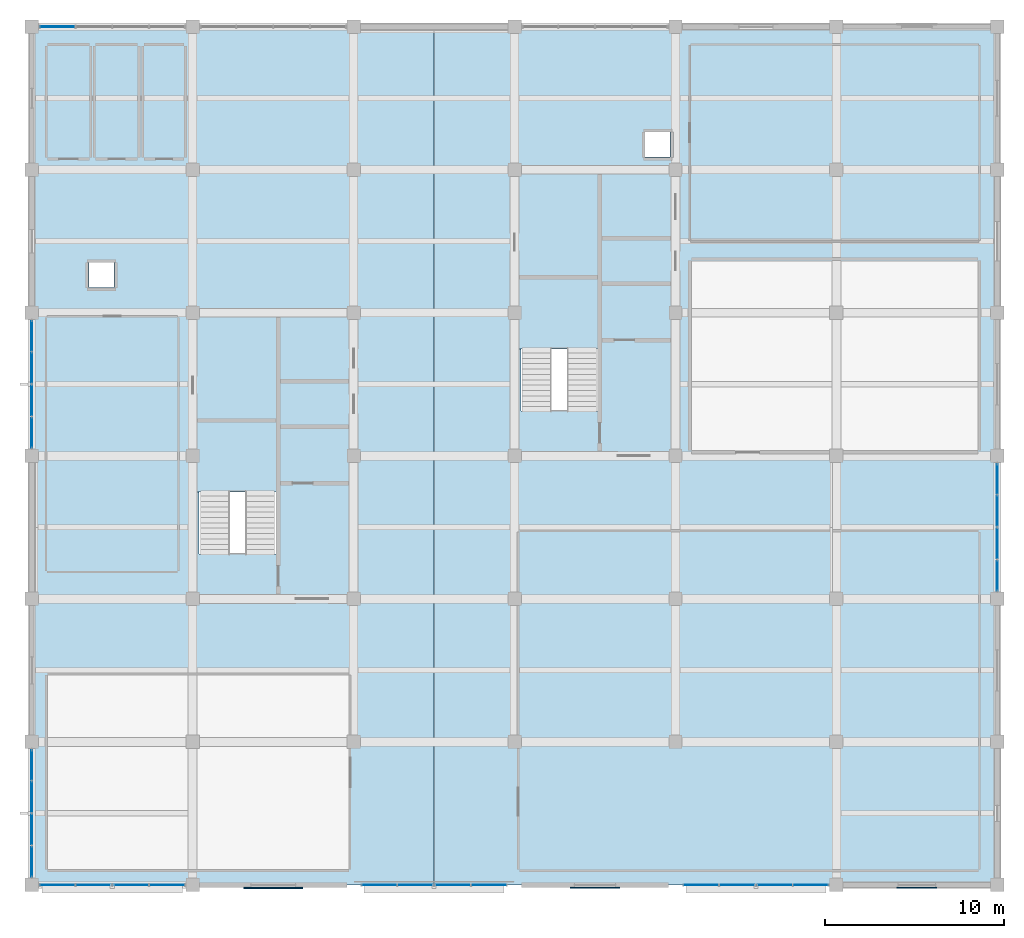
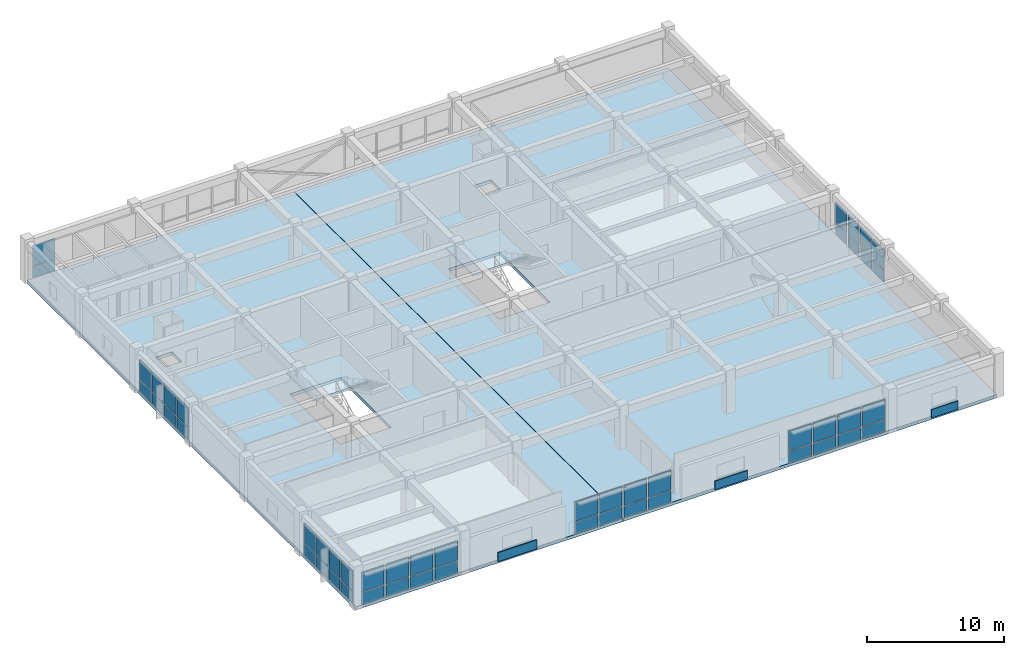
# One storey, part 10 of 15: 53 plates, 4 slabs, 9 elements without a shape of their own.
"""IFC4 building model written with IfcOpenShell, lengths in metres."""

from ifc_helpers import new_model, si_unit, direction, frame, frame_2d, origin, place, context, subcontext, project, spatial, polyline, rectangle, outline, extrude, material, layer, layer_set, type_object, element, aggregate, save


model = new_model("IFC4")

# Units and contexts
model_context = context("Model", 3, precision=1e-05, world=origin(), true_north=direction((0.0, 1.0)))
body_context = subcontext(model_context, "Body", "Model", "MODEL_VIEW")
ifc_project = project(units=[si_unit("LENGTHUNIT", "METRE"), si_unit("AREAUNIT", "SQUARE_METRE"), si_unit("VOLUMEUNIT", "CUBIC_METRE"), si_unit("PLANEANGLEUNIT", "RADIAN"), si_unit("MASSUNIT", "GRAM", prefix="KILO")], contexts=[model_context])

# Site, building, storey
site_placement = place(None, origin())
site = spatial("IfcSite", under=ifc_project, at=site_placement, CompositionType="ELEMENT")
building_placement = place(site_placement, origin())
building = spatial("IfcBuilding", under=site, at=building_placement, Name="Zaverband Oceanarium and Marine Research Institute", CompositionType="ELEMENT")
storey_placement = place(building_placement, frame((0.0, 0.0, 49.199951171875)))
storey = spatial("IfcBuildingStorey", under=building, at=storey_placement, Name="L12", CompositionType="ELEMENT", Elevation=49.199951171875)

# Curtain wall, plates
ifc_material_1 = material(Name="Thermally broken anodized aluminium and solar-control glass", Category="aluminium")
curtain_wall_type = type_object("IfcCurtainWallType", Name="CW-UNIT-1800", PredefinedType="NOTDEFINED", material=ifc_material_1)
curtain_wall_1_placement = place(storey_placement, origin())
curtain_wall_1 = element("IfcCurtainWall", 1, at=curtain_wall_1_placement, inside=storey, type_object=curtain_wall_type, Name="Unitised glazed curtain wall CW-136", PredefinedType="NOTDEFINED")
ifc_material_2 = material(Name="Low-E double-glazed solar-control glass", Category="glass")
ifc_layer_1 = layer(ifc_material_2, 0.033935546875, Name="Low-E double-glazed solar-control glass")
ifc_layer_set_1 = layer_set([ifc_layer_1], Name="Low-E double-glazed solar-control glass")
plate_type_1 = type_object("IfcPlateType", Name="CWP-1570x1043", PredefinedType="CURTAIN_PANEL", material=ifc_layer_set_1)
plate_1_placement = place(storey_placement, frame((9.0, 64.4599609375, 0.050048828125), z_axis=(0.0, 0.0, 1.0), x_axis=(0.0, 1.0, 0.0)))
plate_1 = element("IfcPlate", 2, at=plate_1_placement, type_object=plate_type_1, Name="Glazed curtain wall panel CWP-1570x1043", PredefinedType="CURTAIN_PANEL", context=body_context, shape_type="SweptSolid", body=[
    extrude(rectangle(XDim=1.650146484375, YDim=0.033935546875, at=frame_2d((0.8251953125, 0.0))), origin(), (0.0, 0.0, 1.0), 1.031982421875),
])
plate_2_placement = place(storey_placement, frame((9.0, 66.27001953125, 0.050048828125), z_axis=(0.0, 0.0, 1.0), x_axis=(0.0, 1.0, 0.0)))
plate_2 = element("IfcPlate", 3, at=plate_2_placement, type_object=plate_type_1, Name="Glazed curtain wall panel CWP-1570x1043", PredefinedType="CURTAIN_PANEL", context=body_context, shape_type="SweptSolid", body=[
    extrude(rectangle(XDim=1.64990234375, YDim=0.033935546875, at=frame_2d((0.824951171875, 0.0))), origin(), (0.0, 0.0, 1.0), 1.031982421875),
])
plate_3_placement = place(storey_placement, frame((9.0, 68.080078125, 0.050048828125), z_axis=(0.0, 0.0, 1.0), x_axis=(0.0, 1.0, 0.0)))
plate_3 = element("IfcPlate", 4, at=plate_3_placement, type_object=plate_type_1, Name="Glazed curtain wall panel CWP-1570x1043", PredefinedType="CURTAIN_PANEL", context=body_context, shape_type="SweptSolid", body=[
    extrude(rectangle(XDim=1.64990234375, YDim=0.033935546875, at=frame_2d((0.824951171875, 0.0))), origin(), (0.0, 0.0, 1.0), 1.031982421875),
])
plate_4_placement = place(storey_placement, frame((9.0, 69.889892578125, 0.050048828125), z_axis=(0.0, 0.0, 1.0), x_axis=(0.0, 1.0, 0.0)))
plate_4 = element("IfcPlate", 5, at=plate_4_placement, type_object=plate_type_1, Name="Glazed curtain wall panel CWP-1570x1043", PredefinedType="CURTAIN_PANEL", context=body_context, shape_type="SweptSolid", body=[
    extrude(rectangle(XDim=1.650146484375, YDim=0.033935546875, at=frame_2d((0.8251953125, 0.0))), origin(), (0.0, 0.0, 1.0), 1.031982421875),
])

curtain_wall_2_placement = place(storey_placement, origin())
curtain_wall_2 = element("IfcCurtainWall", 6, at=curtain_wall_2_placement, inside=storey, type_object=curtain_wall_type, Name="Unitised glazed curtain wall CW-137", PredefinedType="NOTDEFINED")
plate_5_placement = place(storey_placement, frame((9.0, 88.4599609375, 0.050048828125), z_axis=(0.0, 0.0, 1.0), x_axis=(0.0, 1.0, 0.0)))
plate_5 = element("IfcPlate", 7, at=plate_5_placement, type_object=plate_type_1, Name="Glazed curtain wall panel CWP-1570x1043", PredefinedType="CURTAIN_PANEL", context=body_context, shape_type="SweptSolid", body=[
    extrude(rectangle(XDim=1.650146484375, YDim=0.033935546875, at=frame_2d((0.8251953125, 0.0))), origin(), (0.0, 0.0, 1.0), 1.031982421875),
])
plate_6_placement = place(storey_placement, frame((9.0, 90.27001953125, 0.050048828125), z_axis=(0.0, 0.0, 1.0), x_axis=(0.0, 1.0, 0.0)))
plate_6 = element("IfcPlate", 8, at=plate_6_placement, type_object=plate_type_1, Name="Glazed curtain wall panel CWP-1570x1043", PredefinedType="CURTAIN_PANEL", context=body_context, shape_type="SweptSolid", body=[
    extrude(rectangle(XDim=1.64990234375, YDim=0.033935546875, at=frame_2d((0.824951171875, 0.0))), origin(), (0.0, 0.0, 1.0), 1.031982421875),
])
plate_7_placement = place(storey_placement, frame((9.0, 92.080078125, 0.050048828125), z_axis=(0.0, 0.0, 1.0), x_axis=(0.0, 1.0, 0.0)))
plate_7 = element("IfcPlate", 9, at=plate_7_placement, type_object=plate_type_1, Name="Glazed curtain wall panel CWP-1570x1043", PredefinedType="CURTAIN_PANEL", context=body_context, shape_type="SweptSolid", body=[
    extrude(rectangle(XDim=1.64990234375, YDim=0.033935546875, at=frame_2d((0.824951171875, 0.0))), origin(), (0.0, 0.0, 1.0), 1.031982421875),
])
plate_8_placement = place(storey_placement, frame((9.0, 93.889892578125, 0.050048828125), z_axis=(0.0, 0.0, 1.0), x_axis=(0.0, 1.0, 0.0)))
plate_8 = element("IfcPlate", 10, at=plate_8_placement, type_object=plate_type_1, Name="Glazed curtain wall panel CWP-1570x1043", PredefinedType="CURTAIN_PANEL", context=body_context, shape_type="SweptSolid", body=[
    extrude(rectangle(XDim=1.650146484375, YDim=0.033935546875, at=frame_2d((0.8251953125, 0.0))), origin(), (0.0, 0.0, 1.0), 1.031982421875),
])

curtain_wall_3_placement = place(storey_placement, origin())
curtain_wall_3 = element("IfcCurtainWall", 11, at=curtain_wall_3_placement, inside=storey, type_object=curtain_wall_type, Name="Unitised glazed curtain wall CW-138", PredefinedType="NOTDEFINED")
plate_9_placement = place(storey_placement, frame((63.0, 80.4599609375, 0.050048828125), z_axis=(0.0, 0.0, 1.0), x_axis=(0.0, 1.0, 0.0)))
plate_9 = element("IfcPlate", 12, at=plate_9_placement, type_object=plate_type_1, Name="Glazed curtain wall panel CWP-1570x1043", PredefinedType="CURTAIN_PANEL", context=body_context, shape_type="SweptSolid", body=[
    extrude(rectangle(XDim=1.650146484375, YDim=0.033935546875, at=frame_2d((0.8251953125, 0.0))), origin(), (0.0, 0.0, 1.0), 1.031982421875),
])
plate_10_placement = place(storey_placement, frame((63.0, 82.27001953125, 0.050048828125), z_axis=(0.0, 0.0, 1.0), x_axis=(0.0, 1.0, 0.0)))
plate_10 = element("IfcPlate", 13, at=plate_10_placement, type_object=plate_type_1, Name="Glazed curtain wall panel CWP-1570x1043", PredefinedType="CURTAIN_PANEL", context=body_context, shape_type="SweptSolid", body=[
    extrude(rectangle(XDim=1.64990234375, YDim=0.033935546875, at=frame_2d((0.824951171875, 0.0))), origin(), (0.0, 0.0, 1.0), 1.031982421875),
])
plate_11_placement = place(storey_placement, frame((63.0, 84.080078125, 0.050048828125), z_axis=(0.0, 0.0, 1.0), x_axis=(0.0, 1.0, 0.0)))
plate_11 = element("IfcPlate", 14, at=plate_11_placement, type_object=plate_type_1, Name="Glazed curtain wall panel CWP-1570x1043", PredefinedType="CURTAIN_PANEL", context=body_context, shape_type="SweptSolid", body=[
    extrude(rectangle(XDim=1.64990234375, YDim=0.033935546875, at=frame_2d((0.824951171875, 0.0))), origin(), (0.0, 0.0, 1.0), 1.031982421875),
])
plate_12_placement = place(storey_placement, frame((63.0, 85.889892578125, 0.050048828125), z_axis=(0.0, 0.0, 1.0), x_axis=(0.0, 1.0, 0.0)))
plate_12 = element("IfcPlate", 15, at=plate_12_placement, type_object=plate_type_1, Name="Glazed curtain wall panel CWP-1570x1043", PredefinedType="CURTAIN_PANEL", context=body_context, shape_type="SweptSolid", body=[
    extrude(rectangle(XDim=1.650146484375, YDim=0.033935546875, at=frame_2d((0.8251953125, 0.0))), origin(), (0.0, 0.0, 1.0), 1.031982421875),
])

# Plate
ifc_layer_2 = layer(ifc_material_2, 0.035888671875, Name="Low-E double-glazed solar-control glass")
ifc_layer_set_2 = layer_set([ifc_layer_2], Name="Low-E double-glazed solar-control glass")
plate_type_2 = type_object("IfcPlateType", Name="CWP-1570x1777", PredefinedType="CURTAIN_PANEL", material=ifc_layer_set_2)
plate_13_placement = place(storey_placement, frame((9.0, 64.4599609375, 1.152099609375), z_axis=(0.0, 0.0, 1.0), x_axis=(0.0, 1.0, 0.0)))
plate_13 = element("IfcPlate", 16, at=plate_13_placement, type_object=plate_type_2, Name="Glazed curtain wall panel CWP-1570x1777", PredefinedType="CURTAIN_PANEL", context=body_context, shape_type="SweptSolid", body=[
    extrude(rectangle(XDim=1.650146484375, YDim=0.035888671875, at=frame_2d((0.8251953125, 0.0))), origin(), (0.0, 0.0, 1.0), 1.758056640625),
])

plate_14_placement = place(storey_placement, frame((9.0, 66.27001953125, 1.152099609375), z_axis=(0.0, 0.0, 1.0), x_axis=(0.0, 1.0, 0.0)))
plate_14 = element("IfcPlate", 17, at=plate_14_placement, type_object=plate_type_2, Name="Glazed curtain wall panel CWP-1570x1777", PredefinedType="CURTAIN_PANEL", context=body_context, shape_type="SweptSolid", body=[
    extrude(rectangle(XDim=1.64990234375, YDim=0.035888671875, at=frame_2d((0.824951171875, 0.0))), origin(), (0.0, 0.0, 1.0), 1.758056640625),
])

plate_15_placement = place(storey_placement, frame((9.0, 68.080078125, 1.152099609375), z_axis=(0.0, 0.0, 1.0), x_axis=(0.0, 1.0, 0.0)))
plate_15 = element("IfcPlate", 18, at=plate_15_placement, type_object=plate_type_2, Name="Glazed curtain wall panel CWP-1570x1777", PredefinedType="CURTAIN_PANEL", context=body_context, shape_type="SweptSolid", body=[
    extrude(rectangle(XDim=1.64990234375, YDim=0.035888671875, at=frame_2d((0.824951171875, 0.0))), origin(), (0.0, 0.0, 1.0), 1.758056640625),
])

plate_16_placement = place(storey_placement, frame((9.0, 69.889892578125, 1.152099609375), z_axis=(0.0, 0.0, 1.0), x_axis=(0.0, 1.0, 0.0)))
plate_16 = element("IfcPlate", 19, at=plate_16_placement, type_object=plate_type_2, Name="Glazed curtain wall panel CWP-1570x1777", PredefinedType="CURTAIN_PANEL", context=body_context, shape_type="SweptSolid", body=[
    extrude(rectangle(XDim=1.650146484375, YDim=0.035888671875, at=frame_2d((0.8251953125, 0.0))), origin(), (0.0, 0.0, 1.0), 1.758056640625),
])

aggregate(curtain_wall_1, [plate_1, plate_13, plate_2, plate_14, plate_3, plate_15, plate_4, plate_16])

plate_17_placement = place(storey_placement, frame((9.0, 88.4599609375, 1.152099609375), z_axis=(0.0, 0.0, 1.0), x_axis=(0.0, 1.0, 0.0)))
plate_17 = element("IfcPlate", 20, at=plate_17_placement, type_object=plate_type_2, Name="Glazed curtain wall panel CWP-1570x1777", PredefinedType="CURTAIN_PANEL", context=body_context, shape_type="SweptSolid", body=[
    extrude(rectangle(XDim=1.650146484375, YDim=0.035888671875, at=frame_2d((0.8251953125, 0.0))), origin(), (0.0, 0.0, 1.0), 1.758056640625),
])

plate_18_placement = place(storey_placement, frame((9.0, 90.27001953125, 1.152099609375), z_axis=(0.0, 0.0, 1.0), x_axis=(0.0, 1.0, 0.0)))
plate_18 = element("IfcPlate", 21, at=plate_18_placement, type_object=plate_type_2, Name="Glazed curtain wall panel CWP-1570x1777", PredefinedType="CURTAIN_PANEL", context=body_context, shape_type="SweptSolid", body=[
    extrude(rectangle(XDim=1.64990234375, YDim=0.035888671875, at=frame_2d((0.824951171875, 0.0))), origin(), (0.0, 0.0, 1.0), 1.758056640625),
])

plate_19_placement = place(storey_placement, frame((9.0, 92.080078125, 1.152099609375), z_axis=(0.0, 0.0, 1.0), x_axis=(0.0, 1.0, 0.0)))
plate_19 = element("IfcPlate", 22, at=plate_19_placement, type_object=plate_type_2, Name="Glazed curtain wall panel CWP-1570x1777", PredefinedType="CURTAIN_PANEL", context=body_context, shape_type="SweptSolid", body=[
    extrude(rectangle(XDim=1.64990234375, YDim=0.035888671875, at=frame_2d((0.824951171875, 0.0))), origin(), (0.0, 0.0, 1.0), 1.758056640625),
])

plate_20_placement = place(storey_placement, frame((9.0, 93.889892578125, 1.152099609375), z_axis=(0.0, 0.0, 1.0), x_axis=(0.0, 1.0, 0.0)))
plate_20 = element("IfcPlate", 23, at=plate_20_placement, type_object=plate_type_2, Name="Glazed curtain wall panel CWP-1570x1777", PredefinedType="CURTAIN_PANEL", context=body_context, shape_type="SweptSolid", body=[
    extrude(rectangle(XDim=1.650146484375, YDim=0.035888671875, at=frame_2d((0.8251953125, 0.0))), origin(), (0.0, 0.0, 1.0), 1.758056640625),
])

aggregate(curtain_wall_2, [plate_5, plate_17, plate_6, plate_18, plate_7, plate_19, plate_8, plate_20])

plate_21_placement = place(storey_placement, frame((63.0, 80.4599609375, 1.152099609375), z_axis=(0.0, 0.0, 1.0), x_axis=(0.0, 1.0, 0.0)))
plate_21 = element("IfcPlate", 24, at=plate_21_placement, type_object=plate_type_2, Name="Glazed curtain wall panel CWP-1570x1777", PredefinedType="CURTAIN_PANEL", context=body_context, shape_type="SweptSolid", body=[
    extrude(rectangle(XDim=1.650146484375, YDim=0.035888671875, at=frame_2d((0.8251953125, 0.0))), origin(), (0.0, 0.0, 1.0), 1.758056640625),
])

plate_22_placement = place(storey_placement, frame((63.0, 82.27001953125, 1.152099609375), z_axis=(0.0, 0.0, 1.0), x_axis=(0.0, 1.0, 0.0)))
plate_22 = element("IfcPlate", 25, at=plate_22_placement, type_object=plate_type_2, Name="Glazed curtain wall panel CWP-1570x1777", PredefinedType="CURTAIN_PANEL", context=body_context, shape_type="SweptSolid", body=[
    extrude(rectangle(XDim=1.64990234375, YDim=0.035888671875, at=frame_2d((0.824951171875, 0.0))), origin(), (0.0, 0.0, 1.0), 1.758056640625),
])

plate_23_placement = place(storey_placement, frame((63.0, 84.080078125, 1.152099609375), z_axis=(0.0, 0.0, 1.0), x_axis=(0.0, 1.0, 0.0)))
plate_23 = element("IfcPlate", 26, at=plate_23_placement, type_object=plate_type_2, Name="Glazed curtain wall panel CWP-1570x1777", PredefinedType="CURTAIN_PANEL", context=body_context, shape_type="SweptSolid", body=[
    extrude(rectangle(XDim=1.64990234375, YDim=0.035888671875, at=frame_2d((0.824951171875, 0.0))), origin(), (0.0, 0.0, 1.0), 1.758056640625),
])

plate_24_placement = place(storey_placement, frame((63.0, 85.889892578125, 1.152099609375), z_axis=(0.0, 0.0, 1.0), x_axis=(0.0, 1.0, 0.0)))
plate_24 = element("IfcPlate", 27, at=plate_24_placement, type_object=plate_type_2, Name="Glazed curtain wall panel CWP-1570x1777", PredefinedType="CURTAIN_PANEL", context=body_context, shape_type="SweptSolid", body=[
    extrude(rectangle(XDim=1.650146484375, YDim=0.035888671875, at=frame_2d((0.8251953125, 0.0))), origin(), (0.0, 0.0, 1.0), 1.758056640625),
])

aggregate(curtain_wall_3, [plate_9, plate_21, plate_10, plate_22, plate_11, plate_23, plate_12, plate_24])

# Curtain wall, plates
curtain_wall_4_placement = place(storey_placement, origin())
curtain_wall_4 = element("IfcCurtainWall", 28, at=curtain_wall_4_placement, inside=storey, type_object=curtain_wall_type, Name="Unitised glazed curtain wall CW-130", PredefinedType="NOTDEFINED")
ifc_layer_3 = layer(ifc_material_2, 0.033935546875, Name="Low-E double-glazed solar-control glass")
ifc_layer_set_3 = layer_set([ifc_layer_3], Name="Low-E double-glazed solar-control glass")
plate_type_3 = type_object("IfcPlateType", Name="CWP-1820x1043", PredefinedType="CURTAIN_PANEL", material=ifc_layer_set_3)
plate_25_placement = place(storey_placement, frame((9.4599609375, 64.0, 0.050048828125), z_axis=(0.0, 0.0, 1.0), x_axis=(1.0, 0.0, 0.0)))
plate_25 = element("IfcPlate", 29, at=plate_25_placement, type_object=plate_type_3, Name="Glazed curtain wall panel CWP-1820x1043", PredefinedType="CURTAIN_PANEL", context=body_context, shape_type="SweptSolid", body=[
    extrude(rectangle(XDim=1.900146484375, YDim=0.033935546875, at=frame_2d((0.9501953125, 0.0))), origin(), (0.0, 0.0, 1.0), 1.031982421875),
])
plate_26_placement = place(storey_placement, frame((11.52001953125, 64.0, 0.050048828125), z_axis=(0.0, 0.0, 1.0), x_axis=(1.0, 0.0, 0.0)))
plate_26 = element("IfcPlate", 30, at=plate_26_placement, type_object=plate_type_3, Name="Glazed curtain wall panel CWP-1820x1043", PredefinedType="CURTAIN_PANEL", context=body_context, shape_type="SweptSolid", body=[
    extrude(rectangle(XDim=1.89990234375, YDim=0.033935546875, at=frame_2d((0.949951171875, 0.0))), origin(), (0.0, 0.0, 1.0), 1.031982421875),
])
plate_27_placement = place(storey_placement, frame((13.580078125, 64.0, 0.050048828125), z_axis=(0.0, 0.0, 1.0), x_axis=(1.0, 0.0, 0.0)))
plate_27 = element("IfcPlate", 31, at=plate_27_placement, type_object=plate_type_3, Name="Glazed curtain wall panel CWP-1820x1043", PredefinedType="CURTAIN_PANEL", context=body_context, shape_type="SweptSolid", body=[
    extrude(rectangle(XDim=1.89990234375, YDim=0.033935546875, at=frame_2d((0.949951171875, 0.0))), origin(), (0.0, 0.0, 1.0), 1.031982421875),
])
plate_28_placement = place(storey_placement, frame((15.639892578125, 64.0, 0.050048828125), z_axis=(0.0, 0.0, 1.0), x_axis=(1.0, 0.0, 0.0)))
plate_28 = element("IfcPlate", 32, at=plate_28_placement, type_object=plate_type_3, Name="Glazed curtain wall panel CWP-1820x1043", PredefinedType="CURTAIN_PANEL", context=body_context, shape_type="SweptSolid", body=[
    extrude(rectangle(XDim=1.900146484375, YDim=0.033935546875, at=frame_2d((0.9501953125, 0.0))), origin(), (0.0, 0.0, 1.0), 1.031982421875),
])

curtain_wall_5_placement = place(storey_placement, origin())
curtain_wall_5 = element("IfcCurtainWall", 33, at=curtain_wall_5_placement, inside=storey, type_object=curtain_wall_type, Name="Unitised glazed curtain wall CW-131", PredefinedType="NOTDEFINED")
plate_29_placement = place(storey_placement, frame((27.4599609375, 64.0, 0.050048828125), z_axis=(0.0, 0.0, 1.0), x_axis=(1.0, 0.0, 0.0)))
plate_29 = element("IfcPlate", 34, at=plate_29_placement, type_object=plate_type_3, Name="Glazed curtain wall panel CWP-1820x1043", PredefinedType="CURTAIN_PANEL", context=body_context, shape_type="SweptSolid", body=[
    extrude(rectangle(XDim=1.900146484375, YDim=0.033935546875, at=frame_2d((0.9501953125, 0.0))), origin(), (0.0, 0.0, 1.0), 1.031982421875),
])
plate_30_placement = place(storey_placement, frame((29.52001953125, 64.0, 0.050048828125), z_axis=(0.0, 0.0, 1.0), x_axis=(1.0, 0.0, 0.0)))
plate_30 = element("IfcPlate", 35, at=plate_30_placement, type_object=plate_type_3, Name="Glazed curtain wall panel CWP-1820x1043", PredefinedType="CURTAIN_PANEL", context=body_context, shape_type="SweptSolid", body=[
    extrude(rectangle(XDim=1.89990234375, YDim=0.033935546875, at=frame_2d((0.949951171875, 0.0))), origin(), (0.0, 0.0, 1.0), 1.031982421875),
])
plate_31_placement = place(storey_placement, frame((31.580078125, 64.0, 0.050048828125), z_axis=(0.0, 0.0, 1.0), x_axis=(1.0, 0.0, 0.0)))
plate_31 = element("IfcPlate", 36, at=plate_31_placement, type_object=plate_type_3, Name="Glazed curtain wall panel CWP-1820x1043", PredefinedType="CURTAIN_PANEL", context=body_context, shape_type="SweptSolid", body=[
    extrude(rectangle(XDim=1.89990234375, YDim=0.033935546875, at=frame_2d((0.949951171875, 0.0))), origin(), (0.0, 0.0, 1.0), 1.031982421875),
])
plate_32_placement = place(storey_placement, frame((33.639892578125, 64.0, 0.050048828125), z_axis=(0.0, 0.0, 1.0), x_axis=(1.0, 0.0, 0.0)))
plate_32 = element("IfcPlate", 37, at=plate_32_placement, type_object=plate_type_3, Name="Glazed curtain wall panel CWP-1820x1043", PredefinedType="CURTAIN_PANEL", context=body_context, shape_type="SweptSolid", body=[
    extrude(rectangle(XDim=1.900146484375, YDim=0.033935546875, at=frame_2d((0.9501953125, 0.0))), origin(), (0.0, 0.0, 1.0), 1.031982421875),
])

curtain_wall_6_placement = place(storey_placement, origin())
curtain_wall_6 = element("IfcCurtainWall", 38, at=curtain_wall_6_placement, inside=storey, type_object=curtain_wall_type, Name="Unitised glazed curtain wall CW-132", PredefinedType="NOTDEFINED")
plate_33_placement = place(storey_placement, frame((45.4599609375, 64.0, 0.050048828125), z_axis=(0.0, 0.0, 1.0), x_axis=(1.0, 0.0, 0.0)))
plate_33 = element("IfcPlate", 39, at=plate_33_placement, type_object=plate_type_3, Name="Glazed curtain wall panel CWP-1820x1043", PredefinedType="CURTAIN_PANEL", context=body_context, shape_type="SweptSolid", body=[
    extrude(rectangle(XDim=1.900146484375, YDim=0.033935546875, at=frame_2d((0.9501953125, 0.0))), origin(), (0.0, 0.0, 1.0), 1.031982421875),
])
plate_34_placement = place(storey_placement, frame((47.52001953125, 64.0, 0.050048828125), z_axis=(0.0, 0.0, 1.0), x_axis=(1.0, 0.0, 0.0)))
plate_34 = element("IfcPlate", 40, at=plate_34_placement, type_object=plate_type_3, Name="Glazed curtain wall panel CWP-1820x1043", PredefinedType="CURTAIN_PANEL", context=body_context, shape_type="SweptSolid", body=[
    extrude(rectangle(XDim=1.89990234375, YDim=0.033935546875, at=frame_2d((0.949951171875, 0.0))), origin(), (0.0, 0.0, 1.0), 1.031982421875),
])
plate_35_placement = place(storey_placement, frame((49.580078125, 64.0, 0.050048828125), z_axis=(0.0, 0.0, 1.0), x_axis=(1.0, 0.0, 0.0)))
plate_35 = element("IfcPlate", 41, at=plate_35_placement, type_object=plate_type_3, Name="Glazed curtain wall panel CWP-1820x1043", PredefinedType="CURTAIN_PANEL", context=body_context, shape_type="SweptSolid", body=[
    extrude(rectangle(XDim=1.89990234375, YDim=0.033935546875, at=frame_2d((0.949951171875, 0.0))), origin(), (0.0, 0.0, 1.0), 1.031982421875),
])
plate_36_placement = place(storey_placement, frame((51.639892578125, 64.0, 0.050048828125), z_axis=(0.0, 0.0, 1.0), x_axis=(1.0, 0.0, 0.0)))
plate_36 = element("IfcPlate", 42, at=plate_36_placement, type_object=plate_type_3, Name="Glazed curtain wall panel CWP-1820x1043", PredefinedType="CURTAIN_PANEL", context=body_context, shape_type="SweptSolid", body=[
    extrude(rectangle(XDim=1.900146484375, YDim=0.033935546875, at=frame_2d((0.9501953125, 0.0))), origin(), (0.0, 0.0, 1.0), 1.031982421875),
])

# Curtain wall, plate
curtain_wall_7_placement = place(storey_placement, origin())
curtain_wall_7 = element("IfcCurtainWall", 43, at=curtain_wall_7_placement, inside=storey, type_object=curtain_wall_type, Name="Unitised glazed curtain wall CW-133", PredefinedType="NOTDEFINED")
plate_37_placement = place(storey_placement, frame((9.4599609375, 112.0, 0.050048828125), z_axis=(0.0, 0.0, 1.0), x_axis=(1.0, 0.0, 0.0)))
plate_37 = element("IfcPlate", 44, at=plate_37_placement, type_object=plate_type_3, Name="Glazed curtain wall panel CWP-1820x1043", PredefinedType="CURTAIN_PANEL", context=body_context, shape_type="SweptSolid", body=[
    extrude(rectangle(XDim=1.900146484375, YDim=0.033935546875, at=frame_2d((0.9501953125, 0.0))), origin(), (0.0, 0.0, 1.0), 1.031982421875),
])

# Plate
ifc_layer_4 = layer(ifc_material_2, 0.035888671875, Name="Low-E double-glazed solar-control glass")
ifc_layer_set_4 = layer_set([ifc_layer_4], Name="Low-E double-glazed solar-control glass")
plate_type_4 = type_object("IfcPlateType", Name="CWP-1820x1777", PredefinedType="CURTAIN_PANEL", material=ifc_layer_set_4)
plate_38_placement = place(storey_placement, frame((9.4599609375, 64.0, 1.152099609375), z_axis=(0.0, 0.0, 1.0), x_axis=(1.0, 0.0, 0.0)))
plate_38 = element("IfcPlate", 45, at=plate_38_placement, type_object=plate_type_4, Name="Glazed curtain wall panel CWP-1820x1777", PredefinedType="CURTAIN_PANEL", context=body_context, shape_type="SweptSolid", body=[
    extrude(rectangle(XDim=1.900146484375, YDim=0.035888671875, at=frame_2d((0.9501953125, 0.0))), origin(), (0.0, 0.0, 1.0), 1.758056640625),
])

plate_39_placement = place(storey_placement, frame((11.52001953125, 64.0, 1.152099609375), z_axis=(0.0, 0.0, 1.0), x_axis=(1.0, 0.0, 0.0)))
plate_39 = element("IfcPlate", 46, at=plate_39_placement, type_object=plate_type_4, Name="Glazed curtain wall panel CWP-1820x1777", PredefinedType="CURTAIN_PANEL", context=body_context, shape_type="SweptSolid", body=[
    extrude(rectangle(XDim=1.89990234375, YDim=0.035888671875, at=frame_2d((0.949951171875, 0.0))), origin(), (0.0, 0.0, 1.0), 1.758056640625),
])

plate_40_placement = place(storey_placement, frame((13.580078125, 64.0, 1.152099609375), z_axis=(0.0, 0.0, 1.0), x_axis=(1.0, 0.0, 0.0)))
plate_40 = element("IfcPlate", 47, at=plate_40_placement, type_object=plate_type_4, Name="Glazed curtain wall panel CWP-1820x1777", PredefinedType="CURTAIN_PANEL", context=body_context, shape_type="SweptSolid", body=[
    extrude(rectangle(XDim=1.89990234375, YDim=0.035888671875, at=frame_2d((0.949951171875, 0.0))), origin(), (0.0, 0.0, 1.0), 1.758056640625),
])

plate_41_placement = place(storey_placement, frame((15.639892578125, 64.0, 1.152099609375), z_axis=(0.0, 0.0, 1.0), x_axis=(1.0, 0.0, 0.0)))
plate_41 = element("IfcPlate", 48, at=plate_41_placement, type_object=plate_type_4, Name="Glazed curtain wall panel CWP-1820x1777", PredefinedType="CURTAIN_PANEL", context=body_context, shape_type="SweptSolid", body=[
    extrude(rectangle(XDim=1.900146484375, YDim=0.035888671875, at=frame_2d((0.9501953125, 0.0))), origin(), (0.0, 0.0, 1.0), 1.758056640625),
])

aggregate(curtain_wall_4, [plate_25, plate_38, plate_26, plate_39, plate_27, plate_40, plate_28, plate_41])

plate_42_placement = place(storey_placement, frame((27.4599609375, 64.0, 1.152099609375), z_axis=(0.0, 0.0, 1.0), x_axis=(1.0, 0.0, 0.0)))
plate_42 = element("IfcPlate", 49, at=plate_42_placement, type_object=plate_type_4, Name="Glazed curtain wall panel CWP-1820x1777", PredefinedType="CURTAIN_PANEL", context=body_context, shape_type="SweptSolid", body=[
    extrude(rectangle(XDim=1.900146484375, YDim=0.035888671875, at=frame_2d((0.9501953125, 0.0))), origin(), (0.0, 0.0, 1.0), 1.758056640625),
])

plate_43_placement = place(storey_placement, frame((29.52001953125, 64.0, 1.152099609375), z_axis=(0.0, 0.0, 1.0), x_axis=(1.0, 0.0, 0.0)))
plate_43 = element("IfcPlate", 50, at=plate_43_placement, type_object=plate_type_4, Name="Glazed curtain wall panel CWP-1820x1777", PredefinedType="CURTAIN_PANEL", context=body_context, shape_type="SweptSolid", body=[
    extrude(rectangle(XDim=1.89990234375, YDim=0.035888671875, at=frame_2d((0.949951171875, 0.0))), origin(), (0.0, 0.0, 1.0), 1.758056640625),
])

plate_44_placement = place(storey_placement, frame((31.580078125, 64.0, 1.152099609375), z_axis=(0.0, 0.0, 1.0), x_axis=(1.0, 0.0, 0.0)))
plate_44 = element("IfcPlate", 51, at=plate_44_placement, type_object=plate_type_4, Name="Glazed curtain wall panel CWP-1820x1777", PredefinedType="CURTAIN_PANEL", context=body_context, shape_type="SweptSolid", body=[
    extrude(rectangle(XDim=1.89990234375, YDim=0.035888671875, at=frame_2d((0.949951171875, 0.0))), origin(), (0.0, 0.0, 1.0), 1.758056640625),
])

plate_45_placement = place(storey_placement, frame((33.639892578125, 64.0, 1.152099609375), z_axis=(0.0, 0.0, 1.0), x_axis=(1.0, 0.0, 0.0)))
plate_45 = element("IfcPlate", 52, at=plate_45_placement, type_object=plate_type_4, Name="Glazed curtain wall panel CWP-1820x1777", PredefinedType="CURTAIN_PANEL", context=body_context, shape_type="SweptSolid", body=[
    extrude(rectangle(XDim=1.900146484375, YDim=0.035888671875, at=frame_2d((0.9501953125, 0.0))), origin(), (0.0, 0.0, 1.0), 1.758056640625),
])

aggregate(curtain_wall_5, [plate_29, plate_42, plate_30, plate_43, plate_31, plate_44, plate_32, plate_45])

plate_46_placement = place(storey_placement, frame((45.4599609375, 64.0, 1.152099609375), z_axis=(0.0, 0.0, 1.0), x_axis=(1.0, 0.0, 0.0)))
plate_46 = element("IfcPlate", 53, at=plate_46_placement, type_object=plate_type_4, Name="Glazed curtain wall panel CWP-1820x1777", PredefinedType="CURTAIN_PANEL", context=body_context, shape_type="SweptSolid", body=[
    extrude(rectangle(XDim=1.900146484375, YDim=0.035888671875, at=frame_2d((0.9501953125, 0.0))), origin(), (0.0, 0.0, 1.0), 1.758056640625),
])

plate_47_placement = place(storey_placement, frame((47.52001953125, 64.0, 1.152099609375), z_axis=(0.0, 0.0, 1.0), x_axis=(1.0, 0.0, 0.0)))
plate_47 = element("IfcPlate", 54, at=plate_47_placement, type_object=plate_type_4, Name="Glazed curtain wall panel CWP-1820x1777", PredefinedType="CURTAIN_PANEL", context=body_context, shape_type="SweptSolid", body=[
    extrude(rectangle(XDim=1.89990234375, YDim=0.035888671875, at=frame_2d((0.949951171875, 0.0))), origin(), (0.0, 0.0, 1.0), 1.758056640625),
])

plate_48_placement = place(storey_placement, frame((49.580078125, 64.0, 1.152099609375), z_axis=(0.0, 0.0, 1.0), x_axis=(1.0, 0.0, 0.0)))
plate_48 = element("IfcPlate", 55, at=plate_48_placement, type_object=plate_type_4, Name="Glazed curtain wall panel CWP-1820x1777", PredefinedType="CURTAIN_PANEL", context=body_context, shape_type="SweptSolid", body=[
    extrude(rectangle(XDim=1.89990234375, YDim=0.035888671875, at=frame_2d((0.949951171875, 0.0))), origin(), (0.0, 0.0, 1.0), 1.758056640625),
])

plate_49_placement = place(storey_placement, frame((51.639892578125, 64.0, 1.152099609375), z_axis=(0.0, 0.0, 1.0), x_axis=(1.0, 0.0, 0.0)))
plate_49 = element("IfcPlate", 56, at=plate_49_placement, type_object=plate_type_4, Name="Glazed curtain wall panel CWP-1820x1777", PredefinedType="CURTAIN_PANEL", context=body_context, shape_type="SweptSolid", body=[
    extrude(rectangle(XDim=1.900146484375, YDim=0.035888671875, at=frame_2d((0.9501953125, 0.0))), origin(), (0.0, 0.0, 1.0), 1.758056640625),
])

aggregate(curtain_wall_6, [plate_33, plate_46, plate_34, plate_47, plate_35, plate_48, plate_36, plate_49])

plate_50_placement = place(storey_placement, frame((9.4599609375, 112.0, 1.152099609375), z_axis=(0.0, 0.0, 1.0), x_axis=(1.0, 0.0, 0.0)))
plate_50 = element("IfcPlate", 57, at=plate_50_placement, type_object=plate_type_4, Name="Glazed curtain wall panel CWP-1820x1777", PredefinedType="CURTAIN_PANEL", context=body_context, shape_type="SweptSolid", body=[
    extrude(rectangle(XDim=1.900146484375, YDim=0.035888671875, at=frame_2d((0.9501953125, 0.0))), origin(), (0.0, 0.0, 1.0), 1.758056640625),
])

aggregate(curtain_wall_7, [plate_37, plate_50])

# Plates
ifc_material_3 = material(Name="Concrete C40/50 precast ochre", Category="concrete")
ifc_layer_5 = layer(ifc_material_3, 0.074951171875, Name="Concrete C40/50 precast ochre")
ifc_layer_set_5 = layer_set([ifc_layer_5], Name="Concrete C40/50 precast ochre")
plate_type_5 = type_object("IfcPlateType", Name="FRP-2250x740", PredefinedType="USERDEFINED", material=ifc_layer_set_5)
plate_51_placement = place(storey_placement, frame((57.375, 63.844970703125, 0.0), z_axis=(0.0, 0.0, 1.0), x_axis=(1.0, 0.0, 0.0)))
element("IfcPlate", 58, at=plate_51_placement, inside=storey, type_object=plate_type_5, Name="Geometric precast facade cladding panel FRP-2250x740", ObjectType="FLANGE_PLATE", PredefinedType="USERDEFINED", context=body_context, shape_type="SweptSolid", body=[
    extrude(rectangle(XDim=2.25, YDim=0.074951171875, at=frame_2d((1.125, 0.0))), origin(), (0.0, 0.0, 1.0), 0.739990234375),
])
ifc_layer_6 = layer(ifc_material_3, 0.080078125, Name="Concrete C40/50 precast ochre")
ifc_layer_set_6 = layer_set([ifc_layer_6], Name="Concrete C40/50 precast ochre")
plate_type_6 = type_object("IfcPlateType", Name="FRP-2750x760", PredefinedType="USERDEFINED", material=ifc_layer_set_6)
plate_52_placement = place(storey_placement, frame((39.125, 63.842529296875, 0.0), z_axis=(0.0, 0.0, 1.0), x_axis=(1.0, 0.0, 0.0)))
element("IfcPlate", 59, at=plate_52_placement, inside=storey, type_object=plate_type_6, Name="Geometric precast facade cladding panel FRP-2750x760", ObjectType="FLANGE_PLATE", PredefinedType="USERDEFINED", context=body_context, shape_type="SweptSolid", body=[
    extrude(rectangle(XDim=2.75, YDim=0.080078125, at=frame_2d((1.375, 0.0))), origin(), (0.0, 0.0, 1.0), 0.760009765625),
])
ifc_layer_7 = layer(ifc_material_3, 0.0849609375, Name="Concrete C40/50 precast ochre")
ifc_layer_set_7 = layer_set([ifc_layer_7], Name="Concrete C40/50 precast ochre")
plate_type_7 = type_object("IfcPlateType", Name="FRP-3300x800", PredefinedType="USERDEFINED", material=ifc_layer_set_7)
plate_53_placement = place(storey_placement, frame((20.85009765625, 63.840087890625, 0.0), z_axis=(0.0, 0.0, 1.0), x_axis=(1.0, 0.0, 0.0)))
element("IfcPlate", 60, at=plate_53_placement, inside=storey, type_object=plate_type_7, Name="Geometric precast facade cladding panel FRP-3300x800", ObjectType="FLANGE_PLATE", PredefinedType="USERDEFINED", context=body_context, shape_type="SweptSolid", body=[
    extrude(rectangle(XDim=3.2998046875, YDim=0.0849609375, at=frame_2d((1.64990234375, 0.0))), origin(), (0.0, 0.0, 1.0), 0.800048828125),
])

# Slabs
ifc_material_4 = material(Name="Concrete C40/50", Category="concrete")
ifc_layer_8 = layer(ifc_material_4, 0.280029296875, Name="Concrete C40/50")
ifc_layer_set_8 = layer_set([ifc_layer_8], Name="Concrete C40/50")
slab_type_1 = type_object("IfcSlabType", Name="SLB-ARC-280", PredefinedType="FLOOR", material=ifc_layer_set_8)
slab_1_placement = place(storey_placement, frame((0.0, 0.0, -0.280029296875)))
element("IfcSlab", 61, at=slab_1_placement, inside=storey, type_object=slab_type_1, Name="Suspended floor slab SLB-ARC-280", PredefinedType="FLOOR", context=body_context, shape_type="SweptSolid", body=[
    extrude(outline(polyline([(9.0, 112.0), (31.485107421875, 112.0), (31.485107421875, 64.0), (9.0, 64.0), (9.0, 112.0)]), holes=[polyline([(18.35009765625, 89.85009765625), (18.35009765625, 82.5), (22.64990234375, 82.5), (22.64990234375, 89.85009765625), (18.35009765625, 89.85009765625)]), polyline([(12.199951171875, 98.800048828125), (12.199951171875, 97.39990234375), (13.60009765625, 97.39990234375), (13.60009765625, 98.800048828125), (12.199951171875, 98.800048828125)])]), origin(), (0.0, 0.0, 1.0), 0.280029296875),
])
slab_2_placement = place(storey_placement, frame((0.0, 0.0, -0.280029296875)))
element("IfcSlab", 62, at=slab_2_placement, inside=storey, type_object=slab_type_1, Name="Suspended floor slab SLB-ARC-280", PredefinedType="FLOOR", context=body_context, shape_type="SweptSolid", body=[
    extrude(outline(polyline([(31.514892578125, 112.0), (63.0, 112.0), (63.0, 64.0), (31.514892578125, 64.0), (31.514892578125, 112.0)]), holes=[polyline([(36.35009765625, 97.85009765625), (36.35009765625, 90.5), (40.64990234375, 90.5), (40.64990234375, 97.85009765625), (36.35009765625, 97.85009765625)]), polyline([(43.300048828125, 106.10009765625), (43.300048828125, 104.699951171875), (44.699951171875, 104.699951171875), (44.699951171875, 106.10009765625), (43.300048828125, 106.10009765625)])]), origin(), (0.0, 0.0, 1.0), 0.280029296875),
])

# Stair, slab
stair_type = type_object("IfcStairType", Name="STR-TWR-1650-3900", PredefinedType="HALF_TURN_STAIR", material=ifc_material_4)
stair_1_placement = place(storey_placement, origin())
stair_1 = element("IfcStair", 63, at=stair_1_placement, inside=storey, type_object=stair_type, Name="Exit Stair ST-01 (L12)", PredefinedType="HALF_TURN_STAIR")
ifc_layer_9 = layer(ifc_material_4, 0.199951171875, Name="Concrete C40/50")
ifc_layer_set_9 = layer_set([ifc_layer_9], Name="Concrete C40/50")
slab_type_2 = type_object("IfcSlabType", Name="SLB-LND-200", PredefinedType="LANDING", material=ifc_layer_set_9)
slab_3_placement = place(storey_placement, frame((0.0, 0.0, 1.75)))
slab_3 = element("IfcSlab", 64, at=slab_3_placement, type_object=slab_type_2, Name="Stair / ramp landing slab SLB-LND-200", PredefinedType="LANDING", context=body_context, shape_type="SweptSolid", body=[
    extrude(outline(polyline([(18.139892578125, 85.969970703125), (22.735107421875, 85.969970703125), (22.735107421875, 89.93505859375), (18.139892578125, 89.93505859375), (18.139892578125, 85.969970703125)])), origin(), (0.0, 0.0, 1.0), 0.199951171875),
])
aggregate(stair_1, [slab_3])

stair_2_placement = place(storey_placement, origin())
stair_2 = element("IfcStair", 65, at=stair_2_placement, inside=storey, type_object=stair_type, Name="Exit Stair ST-02 (L12)", PredefinedType="HALF_TURN_STAIR")
slab_4_placement = place(storey_placement, frame((0.0, 0.0, 1.75)))
slab_4 = element("IfcSlab", 66, at=slab_4_placement, type_object=slab_type_2, Name="Stair / ramp landing slab SLB-LND-200", PredefinedType="LANDING", context=body_context, shape_type="SweptSolid", body=[
    extrude(outline(polyline([(36.139892578125, 93.969970703125), (40.735107421875, 93.969970703125), (40.735107421875, 97.93505859375), (36.139892578125, 97.93505859375), (36.139892578125, 93.969970703125)])), origin(), (0.0, 0.0, 1.0), 0.199951171875),
])
aggregate(stair_2, [slab_4])

save(model, "model.ifc")
